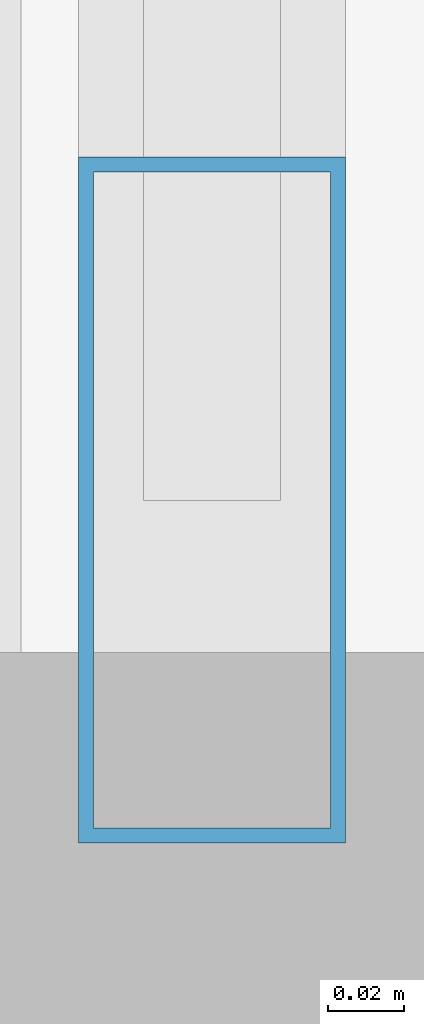
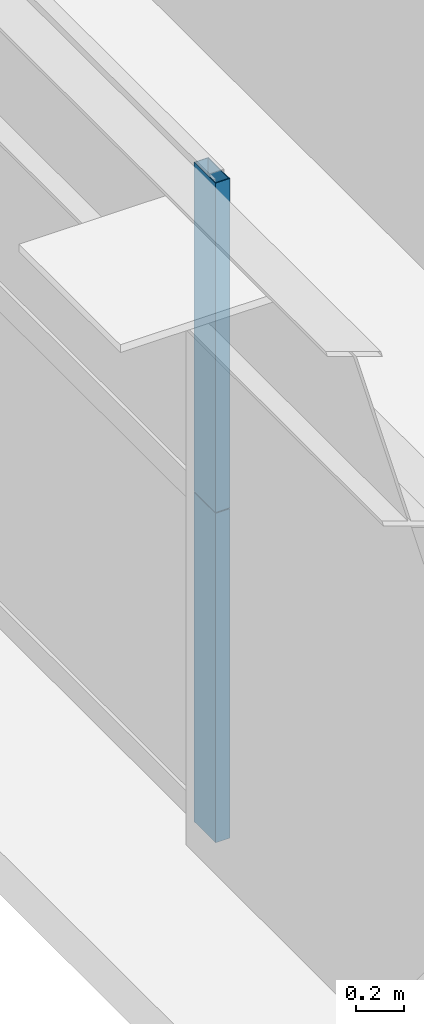
# One storey, part 6 of 45: 2 members, 1 element without a shape of its own.
"""IFC4 building model written with IfcOpenShell, lengths in metres."""

from ifc_helpers import new_model, si_unit, direction, frame, origin, origin_2d, place, context, subcontext, project, spatial, hollow_rectangle, extrude, source, transform, mapped, material, layer, layer_set, material_profile, profile_set, type_object, element, aggregate, save


model = new_model("IFC4")

# Units and contexts
model_context = context("Model", 3, precision=1e-05, world=origin(), true_north=direction((0.0, 1.0)))
body_context = subcontext(model_context, "Body", "Model", "MODEL_VIEW")
ifc_project = project(units=[si_unit("LENGTHUNIT", "METRE"), si_unit("AREAUNIT", "SQUARE_METRE"), si_unit("VOLUMEUNIT", "CUBIC_METRE"), si_unit("PLANEANGLEUNIT", "RADIAN"), si_unit("MASSUNIT", "GRAM", prefix="KILO"), si_unit("THERMODYNAMICTEMPERATUREUNIT", "KELVIN"), si_unit("POWERUNIT", "WATT")], contexts=[model_context])

# Site, building, storey
site_placement = place(None, origin())
site = spatial("IfcSite", under=ifc_project, at=site_placement, CompositionType="ELEMENT")
building_placement = place(site_placement, origin())
building = spatial("IfcBuilding", under=site, at=building_placement, Name="Yuzanri Waterfront Tower", CompositionType="ELEMENT")
storey_placement = place(building_placement, frame((0.0, 0.0, 34.199951171875)))
storey = spatial("IfcBuildingStorey", under=building, at=storey_placement, Name="L08", CompositionType="ELEMENT", Elevation=34.199951171875)

# Curtain wall, members
ifc_material_1 = material(Name="Anodized Architectural Bronze", Category="metal")
ifc_layer = layer(ifc_material_1, 0.159912109375)
ifc_layer_set = layer_set([ifc_layer], Name="Anodized Architectural Bronze")
curtain_wall_type = type_object("IfcCurtainWallType", Name="Anodized Bronze Hotel Lower-Tier Recessed Unitized Curtain Wall 8100", PredefinedType="NOTDEFINED", material=ifc_layer_set)
curtain_wall_placement = place(storey_placement, origin())
curtain_wall = element("IfcCurtainWall", 1, at=curtain_wall_placement, inside=storey, type_object=curtain_wall_type, Name="L08 Curtain Wall CW-L08-WL", PredefinedType="NOTDEFINED")
ifc_material_2 = material(Name="Anodized Architectural Bronze", Category="metal")
ifc_material_profile = material_profile(ifc_material_2, hollow_rectangle(XDim=0.070068359375, YDim=0.179931640625, WallThickness=0.00390625, at=origin_2d()), Name="CWM 70x180")
ifc_profile_set = profile_set([ifc_material_profile], Name="Anodized Architectural Bronze")
member_type = type_object("IfcMemberType", Name="Anodized Bronze Standard Curtain-Wall Mullion 70x180", PredefinedType="MULLION", material=ifc_profile_set)
shared_shape = source(origin(), body_context, "Body", "SweptSolid", [
    extrude(hollow_rectangle(XDim=0.070068359375, YDim=0.179931640625, WallThickness=0.00390625, at=origin_2d()), origin(), (0.0, 0.0, 1.0), 1.68798828125),
])
member_1_placement = place(storey_placement, frame((12.050048828125, 8.090087890625, 0.0), z_axis=(0.0, 0.0, 1.0), x_axis=(1.0, 0.0, 0.0)))
member_1 = element("IfcMember", 2, at=member_1_placement, type_object=member_type, Name="CW-L08-WL Lower Mullion 00", PredefinedType="MULLION", context=body_context, shape_type="MappedRepresentation", body=[
    mapped(shared_shape, transform((0.0, 0.0, 0.0), scale=1.0)),
])
member_2_placement = place(storey_placement, frame((12.050048828125, 8.090087890625, 1.692138671875), z_axis=(0.0, 0.0, 1.0), x_axis=(1.0, 0.0, 0.0)))
member_2 = element("IfcMember", 3, at=member_2_placement, type_object=member_type, Name="CW-L08-WL Upper Mullion 00", PredefinedType="MULLION", context=body_context, shape_type="MappedRepresentation", body=[
    mapped(shared_shape, transform((0.0, 0.0, 0.0), scale=1.0)),
])
aggregate(curtain_wall, [member_1, member_2])

save(model, "model.ifc")
